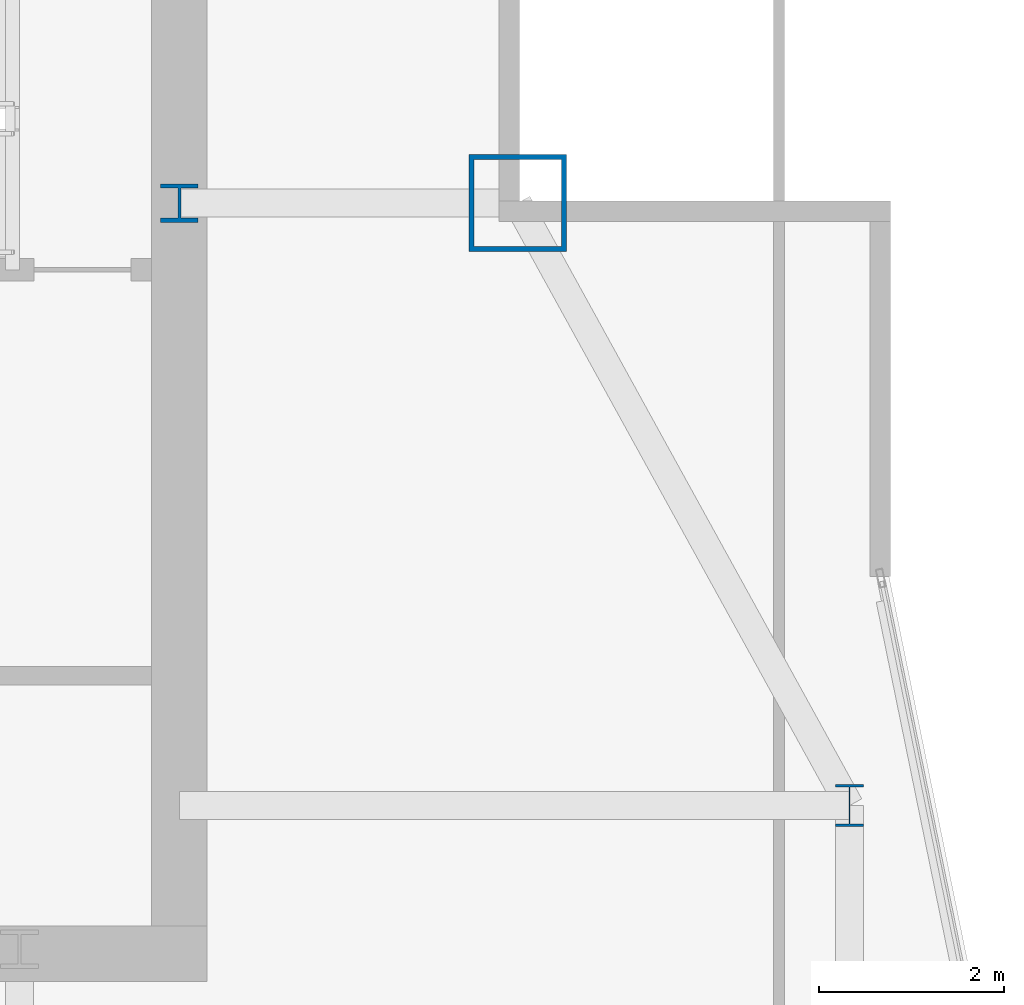
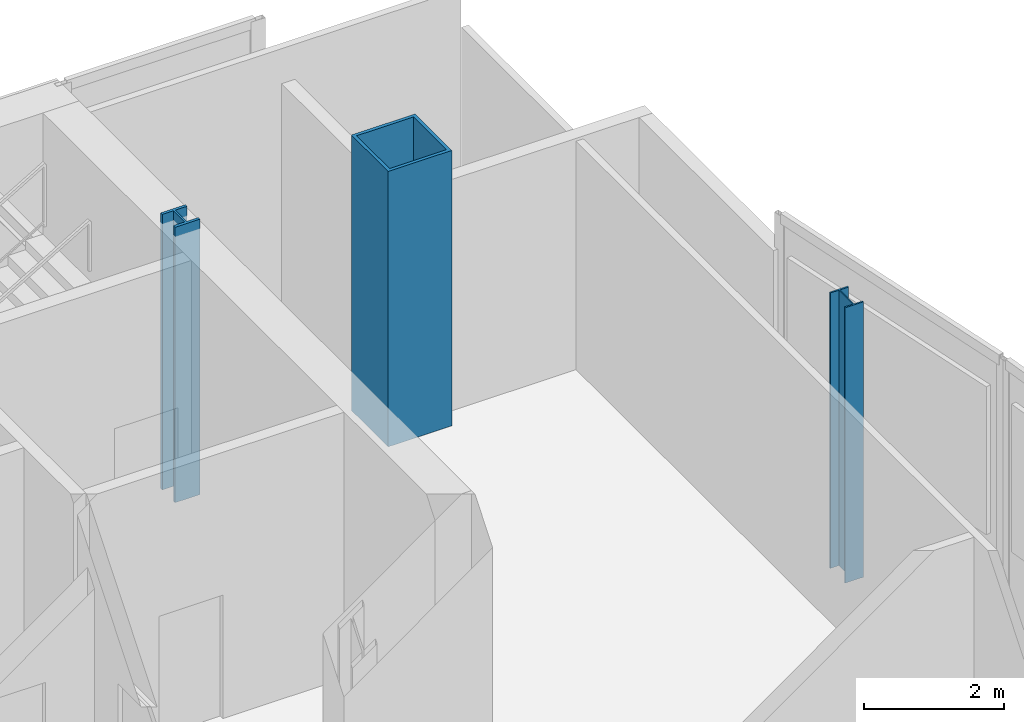
# One storey, part 4 of 32: 3 columns.
"""IFC4 building model written with IfcOpenShell, lengths in metres."""

from ifc_helpers import new_model, si_unit, direction, frame, origin, origin_2d, place, context, subcontext, project, spatial, hollow_rectangle, i_section, extrude, material, material_profile, profile_set, type_object, element, save


model = new_model("IFC4")

# Units and contexts
model_context = context("Model", 3, precision=1e-05, world=origin(), true_north=direction((0.0, 1.0)))
body_context = subcontext(model_context, "Body", "Model", "MODEL_VIEW")
ifc_project = project(units=[si_unit("LENGTHUNIT", "METRE"), si_unit("AREAUNIT", "SQUARE_METRE"), si_unit("VOLUMEUNIT", "CUBIC_METRE"), si_unit("PLANEANGLEUNIT", "RADIAN"), si_unit("MASSUNIT", "GRAM", prefix="KILO")], contexts=[model_context])

# Site, building, storey
site_placement = place(None, origin())
site = spatial("IfcSite", under=ifc_project, at=site_placement, CompositionType="ELEMENT")
building_placement = place(site_placement, origin())
building = spatial("IfcBuilding", under=site, at=building_placement, Name="Khoronbel Lancet Exchange", CompositionType="ELEMENT")
storey_placement = place(building_placement, frame((0.0, 0.0, 257.0)))
storey = spatial("IfcBuildingStorey", under=building, at=storey_placement, Name="L66", CompositionType="ELEMENT", Elevation=257.0)

# Columns
ifc_material_1 = material(Name="Steel S355", Category="steel")
ifc_material_profile_1 = material_profile(ifc_material_1, i_section(OverallWidth=0.406005859375, OverallDepth=0.416015625, WebThickness=0.02978515625, FlangeThickness=0.048095703125, at=origin_2d()), Name="HD 400x382")
ifc_profile_set_1 = profile_set([ifc_material_profile_1], Name="Steel S355")
column_type_1 = type_object("IfcColumnType", Name="COL-IC3", PredefinedType="COLUMN", material=ifc_profile_set_1)
column_1_placement = place(storey_placement, frame((56.39990234375, 49.699951171875, 0.0), z_axis=(0.0, 0.0, 1.0), x_axis=(1.0, 0.0, 0.0)))
element("IfcColumn", 1, at=column_1_placement, inside=storey, type_object=column_type_1, Name="Core-flank plumb transfer column CFE L66", PredefinedType="COLUMN", context=body_context, shape_type="SweptSolid", body=[
    extrude(i_section(OverallWidth=0.406005859375, OverallDepth=0.416015625, WebThickness=0.02978515625, FlangeThickness=0.048095703125, at=origin_2d()), origin(), (0.0, 0.0, 1.0), 4.800048828125),
])
ifc_material_profile_2 = material_profile(ifc_material_1, i_section(OverallWidth=0.300048828125, OverallDepth=0.449951171875, WebThickness=0.013916015625, FlangeThickness=0.02587890625, at=origin_2d()), Name="HEB 450")
ifc_profile_set_2 = profile_set([ifc_material_profile_2], Name="Steel S355")
column_type_2 = type_object("IfcColumnType", Name="COL-LC2", PredefinedType="COLUMN", material=ifc_profile_set_2)
column_2_placement = place(storey_placement, frame((63.6298828125, 43.199951171875, 0.0), z_axis=(0.0, 0.0, 1.0), x_axis=(1.0, 0.0, 0.0)))
element("IfcColumn", 2, at=column_2_placement, inside=storey, type_object=column_type_2, Name="Structural column EC-4 L66", PredefinedType="COLUMN", context=body_context, shape_type="SweptSolid", body=[
    extrude(i_section(OverallWidth=0.300048828125, OverallDepth=0.449951171875, WebThickness=0.013916015625, FlangeThickness=0.02587890625, at=origin_2d()), origin(), (0.0, 0.0, 1.0), 4.800048828125),
])
ifc_material_2 = material(Name="Steel S460", Category="steel")
ifc_material_profile_3 = material_profile(ifc_material_2, hollow_rectangle(XDim=1.050048828125, YDim=1.050048828125, WallThickness=0.054931640625, at=origin_2d()), Name="BOX 1050x1050x55")
ifc_profile_set_3 = profile_set([ifc_material_profile_3], Name="Steel S460")
column_type_3 = type_object("IfcColumnType", Name="COL-MC6", PredefinedType="COLUMN", material=ifc_profile_set_3)
column_3_placement = place(storey_placement, frame((60.050048828125, 49.699951171875, 0.0), z_axis=(0.0, 0.0, 1.0), x_axis=(1.0, 0.0, 0.0)))
element("IfcColumn", 3, at=column_3_placement, inside=storey, type_object=column_type_3, Name="Structural column MC-NE L66", PredefinedType="COLUMN", context=body_context, shape_type="SweptSolid", body=[
    extrude(hollow_rectangle(XDim=1.050048828125, YDim=1.050048828125, WallThickness=0.054931640625, at=origin_2d()), origin(), (0.0, 0.0, 1.0), 4.800048828125),
])

save(model, "model.ifc")
